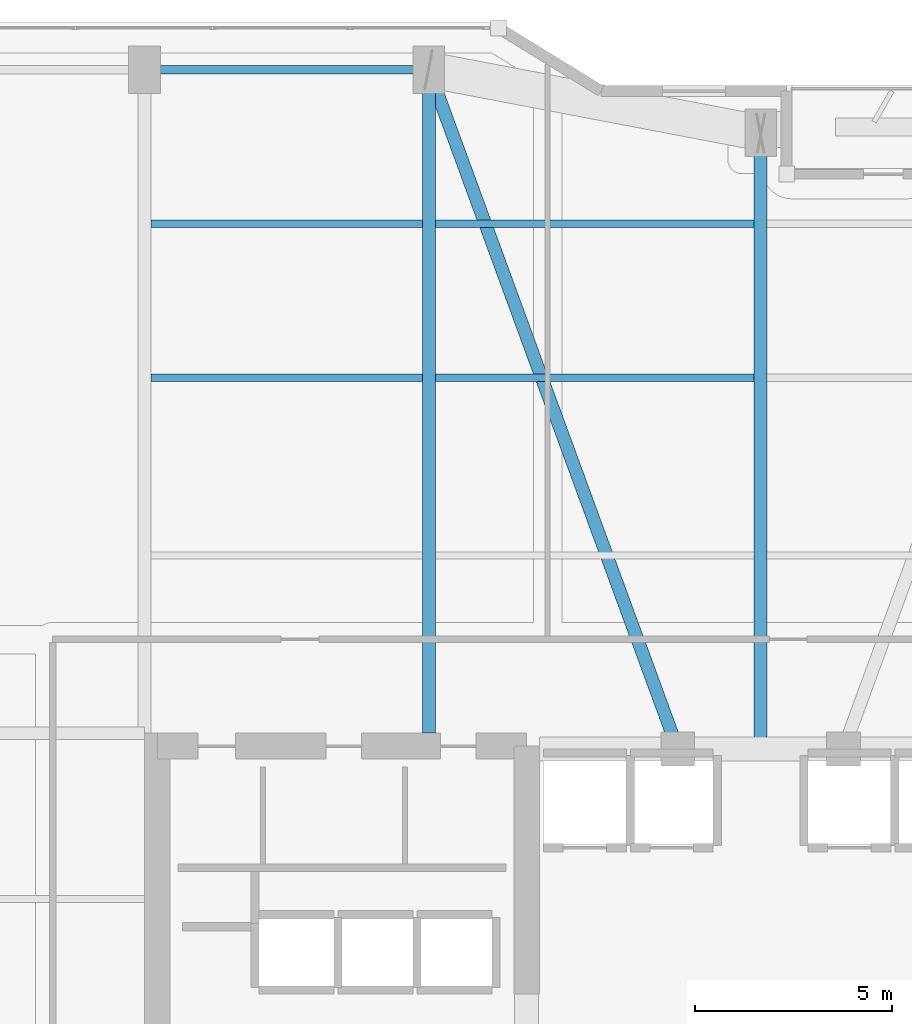
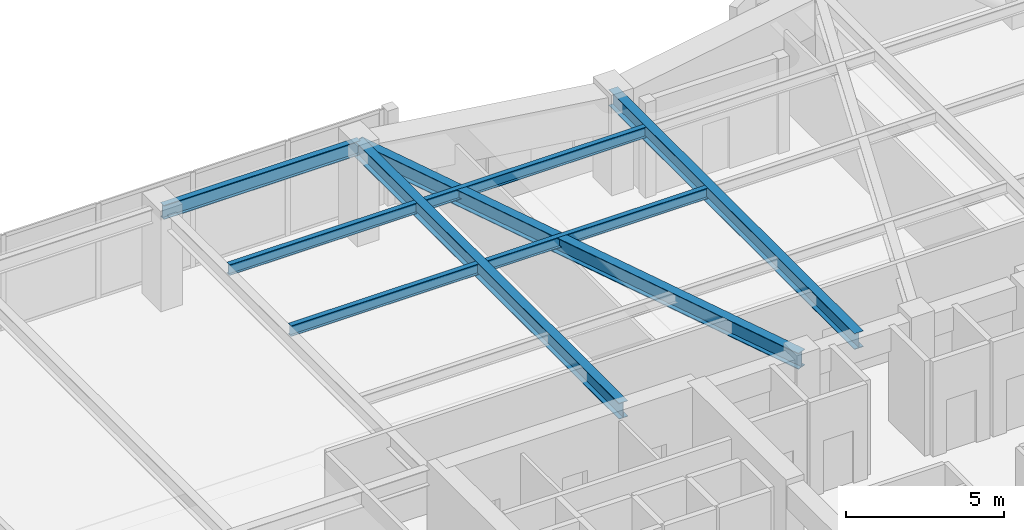
# One storey, part 14 of 26: 8 beams.
"""IFC4 building model written with IfcOpenShell, lengths in metres."""

from ifc_helpers import new_model, si_unit, direction, frame, origin, origin_2d, place, context, subcontext, project, spatial, i_section, extrude, material, material_profile, profile_set, type_object, element, save


model = new_model("IFC4")

# Units and contexts
model_context = context("Model", 3, precision=1e-05, world=origin(), true_north=direction((0.0, 1.0)))
body_context = subcontext(model_context, "Body", "Model", "MODEL_VIEW")
ifc_project = project(units=[si_unit("LENGTHUNIT", "METRE"), si_unit("AREAUNIT", "SQUARE_METRE"), si_unit("VOLUMEUNIT", "CUBIC_METRE"), si_unit("PLANEANGLEUNIT", "RADIAN"), si_unit("MASSUNIT", "GRAM", prefix="KILO")], contexts=[model_context])

# Site, building, storey
site_placement = place(None, origin())
site = spatial("IfcSite", under=ifc_project, at=site_placement, CompositionType="ELEMENT")
building_placement = place(site_placement, origin())
building = spatial("IfcBuilding", under=site, at=building_placement, Name="Kiyonajd Concourse Tower", CompositionType="ELEMENT")
storey_placement = place(building_placement, frame((0.0, 0.0, 186.300048828125)))
storey = spatial("IfcBuildingStorey", under=building, at=storey_placement, Name="L47", CompositionType="ELEMENT", Elevation=186.300048828125)

# Beams
ifc_material = material(Name="Steel ASTM A992 Grade 50", Category="steel")
ifc_material_profile_1 = material_profile(ifc_material, i_section(OverallWidth=0.180908203125, OverallDepth=0.4169921875, WebThickness=0.010986328125, FlangeThickness=0.018310546875, at=origin_2d()), Name="W410X85")
ifc_profile_set_1 = profile_set([ifc_material_profile_1], Name="Steel ASTM A992 Grade 50")
beam_type_1 = type_object("IfcBeamType", Name="BM-JST-410", PredefinedType="JOIST", material=ifc_profile_set_1)
beam_1_placement = place(storey_placement, frame((32.5634765625, 53.39990234375, 3.471435546875), z_axis=(1.0, 0.0, 0.0), x_axis=(0.0, 1.0, 0.0)))
element("IfcBeam", 1, at=beam_1_placement, inside=storey, type_object=beam_type_1, Name="L47 Secondary Floor Joist", PredefinedType="JOIST", context=body_context, shape_type="SweptSolid", body=[
    extrude(i_section(OverallWidth=0.180908203125, OverallDepth=0.4169921875, WebThickness=0.010986328125, FlangeThickness=0.018310546875, at=origin_2d()), origin(), (0.0, 0.0, 1.0), 6.873046875),
])
beam_2_placement = place(storey_placement, frame((39.763427734375, 53.39990234375, 3.471435546875), z_axis=(1.0, 0.0, 0.0), x_axis=(0.0, 1.0, 0.0)))
element("IfcBeam", 2, at=beam_2_placement, inside=storey, type_object=beam_type_1, Name="L47 Secondary Floor Joist", PredefinedType="JOIST", context=body_context, shape_type="SweptSolid", body=[
    extrude(i_section(OverallWidth=0.180908203125, OverallDepth=0.4169921875, WebThickness=0.010986328125, FlangeThickness=0.018310546875, at=origin_2d()), origin(), (0.0, 0.0, 1.0), 8.072998046875),
])
beam_3_placement = place(storey_placement, frame((32.5634765625, 57.300048828125, 3.471435546875), z_axis=(1.0, 0.0, 0.0), x_axis=(0.0, 1.0, 0.0)))
element("IfcBeam", 3, at=beam_3_placement, inside=storey, type_object=beam_type_1, Name="L47 Secondary Floor Joist", PredefinedType="JOIST", context=body_context, shape_type="SweptSolid", body=[
    extrude(i_section(OverallWidth=0.180908203125, OverallDepth=0.4169921875, WebThickness=0.010986328125, FlangeThickness=0.018310546875, at=origin_2d()), origin(), (0.0, 0.0, 1.0), 6.873046875),
])
beam_4_placement = place(storey_placement, frame((39.763427734375, 57.300048828125, 3.471435546875), z_axis=(1.0, 0.0, 0.0), x_axis=(0.0, 1.0, 0.0)))
element("IfcBeam", 4, at=beam_4_placement, inside=storey, type_object=beam_type_1, Name="L47 Secondary Floor Joist", PredefinedType="JOIST", context=body_context, shape_type="SweptSolid", body=[
    extrude(i_section(OverallWidth=0.180908203125, OverallDepth=0.4169921875, WebThickness=0.010986328125, FlangeThickness=0.018310546875, at=origin_2d()), origin(), (0.0, 0.0, 1.0), 8.072998046875),
])
ifc_material_profile_2 = material_profile(ifc_material, i_section(OverallWidth=0.214111328125, OverallDepth=0.549072265625, WebThickness=0.0146484375, FlangeThickness=0.023681640625, at=origin_2d()), Name="W530X138")
ifc_profile_set_2 = profile_set([ifc_material_profile_2], Name="Steel ASTM A992 Grade 50")
beam_type_2 = type_object("IfcBeamType", Name="BM-SPAN-530A", PredefinedType="SPANDREL", material=ifc_profile_set_2)
beam_5_placement = place(storey_placement, frame((39.60009765625, 61.199951171875, 3.405517578125), z_axis=(-1.0, 0.0, 0.0), x_axis=(0.0, -1.0, 0.0)))
element("IfcBeam", 5, at=beam_5_placement, inside=storey, type_object=beam_type_2, Name="L47 Perimeter Bundled Tube Spandrel", PredefinedType="SPANDREL", context=body_context, shape_type="SweptSolid", body=[
    extrude(i_section(OverallWidth=0.214111328125, OverallDepth=0.549072265625, WebThickness=0.0146484375, FlangeThickness=0.023681640625, at=origin_2d()), origin(), (0.0, 0.0, 1.0), 7.2001953125),
])
ifc_material_profile_3 = material_profile(ifc_material, i_section(OverallWidth=0.326904296875, OverallDepth=0.6220703125, WebThickness=0.015380859375, FlangeThickness=0.0244140625, at=origin_2d()), Name="W610X195")
ifc_profile_set_3 = profile_set([ifc_material_profile_3], Name="Steel ASTM A992 Grade 50")
beam_type_3 = type_object("IfcBeamType", Name="BM-TWR-610A", PredefinedType="BEAM", material=ifc_profile_set_3)
beam_6_placement = place(storey_placement, frame((39.60009765625, 61.199951171875, 3.368896484375), z_axis=(0.343925269715, -0.938997022813, 0.0), x_axis=(0.938997022813, 0.343925269715, 0.0)))
element("IfcBeam", 6, at=beam_6_placement, inside=storey, type_object=beam_type_3, Name="L47 Core Tie Girder", PredefinedType="BEAM", context=body_context, shape_type="SweptSolid", body=[
    extrude(i_section(OverallWidth=0.326904296875, OverallDepth=0.6220703125, WebThickness=0.015380859375, FlangeThickness=0.0244140625, at=origin_2d()), origin(), (0.0, 0.0, 1.0), 18.3173828125),
])
beam_7_placement = place(storey_placement, frame((39.60009765625, 44.39990234375, 3.368896484375), z_axis=(0.0, 1.0, 0.0), x_axis=(-1.0, 0.0, 0.0)))
element("IfcBeam", 7, at=beam_7_placement, inside=storey, type_object=beam_type_3, Name="L47 North Lease Girder", PredefinedType="BEAM", context=body_context, shape_type="SweptSolid", body=[
    extrude(i_section(OverallWidth=0.326904296875, OverallDepth=0.6220703125, WebThickness=0.015380859375, FlangeThickness=0.0244140625, at=origin_2d()), origin(), (0.0, 0.0, 1.0), 16.800048828125),
])
beam_8_placement = place(storey_placement, frame((48.0, 44.0, 3.368896484375), z_axis=(0.0, 1.0, 0.0), x_axis=(-1.0, 0.0, 0.0)))
element("IfcBeam", 8, at=beam_8_placement, inside=storey, type_object=beam_type_3, Name="L47 North Ribbon Girder", PredefinedType="BEAM", context=body_context, shape_type="SweptSolid", body=[
    extrude(i_section(OverallWidth=0.326904296875, OverallDepth=0.6220703125, WebThickness=0.015380859375, FlangeThickness=0.0244140625, at=origin_2d()), origin(), (0.0, 0.0, 1.0), 15.60009765625),
])

save(model, "model.ifc")
